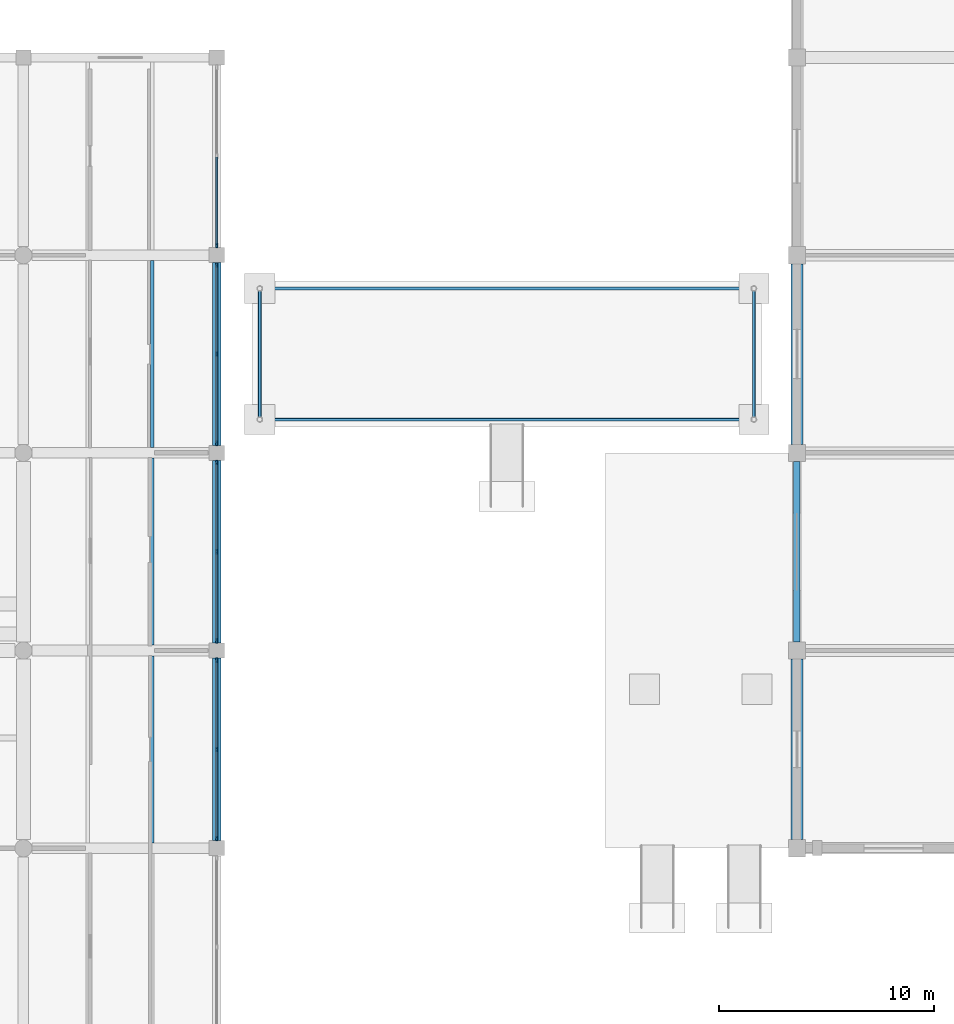
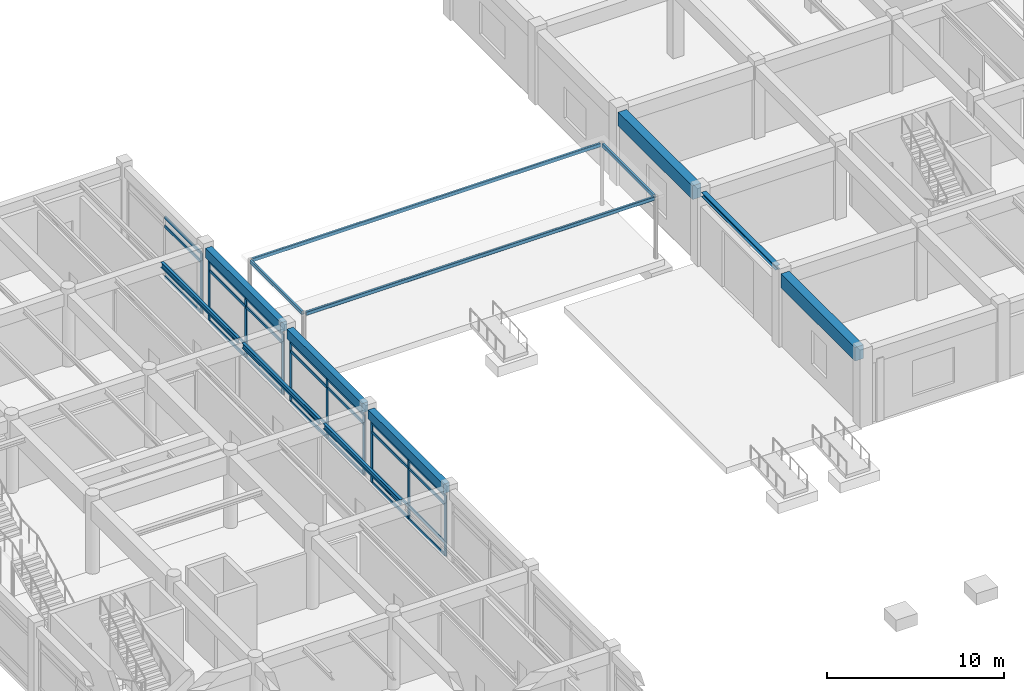
# One storey, part 32 of 76: 42 members, 9 beams, 4 elements without a shape of their own.
"""IFC4 building model written with IfcOpenShell, lengths in metres."""

from ifc_helpers import new_model, si_unit, direction, frame, origin, origin_2d, place, context, subcontext, project, spatial, rectangle, hollow_rectangle, i_section, extrude, material, material_profile, profile_set, type_object, element, aggregate, save


model = new_model("IFC4")

# Units and contexts
model_context = context("Model", 3, precision=1e-05, world=origin(), true_north=direction((0.0, 1.0)))
body_context = subcontext(model_context, "Body", "Model", "MODEL_VIEW")
ifc_project = project(units=[si_unit("LENGTHUNIT", "METRE"), si_unit("AREAUNIT", "SQUARE_METRE"), si_unit("VOLUMEUNIT", "CUBIC_METRE"), si_unit("PLANEANGLEUNIT", "RADIAN"), si_unit("MASSUNIT", "GRAM", prefix="KILO")], contexts=[model_context])

# Site, building, storey
site_placement = place(None, origin())
site = spatial("IfcSite", under=ifc_project, at=site_placement, CompositionType="ELEMENT")
building_placement = place(site_placement, origin())
building = spatial("IfcBuilding", under=site, at=building_placement, Name="Bozkorgan Art Gallery", CompositionType="ELEMENT")
storey_placement = place(building_placement, origin())
storey = spatial("IfcBuildingStorey", under=building, at=storey_placement, Name="L00", CompositionType="ELEMENT", Elevation=0.0)

# Beams
ifc_material_1 = material(Name="Concrete C35/45", Category="concrete")
ifc_material_profile_1 = material_profile(ifc_material_1, rectangle(XDim=0.550048828125, YDim=0.949951171875, at=origin_2d()), Name="RC 550x950")
ifc_profile_set_1 = profile_set([ifc_material_profile_1], Name="Concrete C35/45")
beam_type_1 = type_object("IfcBeamType", Name="BEAM-BM-97", PredefinedType="BEAM", material=ifc_profile_set_1)
beam_1_placement = place(storey_placement, frame((128.0, 66.39990234375, 4.5849609375), z_axis=(0.0, 1.0, 0.0), x_axis=(-1.0, 0.0, 0.0)))
element("IfcBeam", 1, at=beam_1_placement, inside=storey, type_object=beam_type_1, Name="V5 L00 beam Y (128, 66.0-75.2)", PredefinedType="BEAM", context=body_context, shape_type="SweptSolid", body=[
    extrude(rectangle(XDim=0.550048828125, YDim=0.949951171875, at=origin_2d()), origin(), (0.0, 0.0, 1.0), 8.400146484375),
])
beam_2_placement = place(storey_placement, frame((128.0, 84.800048828125, 4.5849609375), z_axis=(0.0, 1.0, 0.0), x_axis=(-1.0, 0.0, 0.0)))
element("IfcBeam", 2, at=beam_2_placement, inside=storey, type_object=beam_type_1, Name="V5 L00 beam Y (128, 84.4-93.6)", PredefinedType="BEAM", context=body_context, shape_type="SweptSolid", body=[
    extrude(rectangle(XDim=0.550048828125, YDim=0.949951171875, at=origin_2d()), origin(), (0.0, 0.0, 1.0), 8.39990234375),
])
ifc_material_2 = material(Name="Steel S355J2", Category="steel")
ifc_material_profile_2 = material_profile(ifc_material_2, i_section(OverallWidth=0.169921875, OverallDepth=0.360107421875, WebThickness=0.008056640625, FlangeThickness=0.0126953125, FilletRadius=0.01806640625, at=origin_2d()), Name="IPE 360")
ifc_profile_set_2 = profile_set([ifc_material_profile_2], Name="Steel S355J2")
beam_type_2 = type_object("IfcBeamType", Name="BEAM-JS-98", PredefinedType="JOIST", material=ifc_profile_set_2)
for number, where, z_axis, x_axis, name in (
    (3, (98.0, 66.25, 4.8798828125), (0.0, 1.0, 0.0), (-1.0, 0.0, 0.0), "V4 L00 secondary joist (92-101, 66.0-75.2) #2"),
    (4, (98.0, 75.449951171875, 4.8798828125), (0.0, 1.0, 0.0), (-1.0, 0.0, 0.0), "V4 L00 secondary joist (92-101, 75.2-84.4) #2"),
):
    element("IfcBeam", number, at=place(storey_placement, frame(where, z_axis=z_axis, x_axis=x_axis)), inside=storey, type_object=beam_type_2, Name=name, PredefinedType="JOIST", context=body_context, shape_type="SweptSolid", body=[
        extrude(i_section(OverallWidth=0.169921875, OverallDepth=0.360107421875, WebThickness=0.008056640625, FlangeThickness=0.0126953125, FilletRadius=0.01806640625, at=origin_2d()), origin(), (0.0, 0.0, 1.0), 8.699951171875),
    ])
beam_3_placement = place(storey_placement, frame((98.0, 84.64990234375, 4.8798828125), z_axis=(0.0, 1.0, 0.0), x_axis=(-1.0, 0.0, 0.0)))
element("IfcBeam", 5, at=beam_3_placement, inside=storey, type_object=beam_type_2, Name="V4 L00 secondary joist (92-101, 84.4-93.6) #2", PredefinedType="JOIST", context=body_context, shape_type="SweptSolid", body=[
    extrude(i_section(OverallWidth=0.169921875, OverallDepth=0.360107421875, WebThickness=0.008056640625, FlangeThickness=0.0126953125, FilletRadius=0.01806640625, at=origin_2d()), origin(), (0.0, 0.0, 1.0), 8.7001953125),
])
ifc_material_profile_3 = material_profile(ifc_material_2, i_section(OverallWidth=0.300048828125, OverallDepth=0.2900390625, WebThickness=0.008544921875, FlangeThickness=0.013916015625, FilletRadius=0.027099609375, at=origin_2d()), Name="HEA 300")
ifc_profile_set_3 = profile_set([ifc_material_profile_3], Name="Steel S355J2")
beam_type_3 = type_object("IfcBeamType", Name="BEAM-LN-79", PredefinedType="LINTEL", material=ifc_profile_set_3)
beam_4_placement = place(storey_placement, frame((128.0, 75.60009765625, 4.9150390625), z_axis=(0.0, 1.0, 0.0), x_axis=(-1.0, 0.0, 0.0)))
element("IfcBeam", 6, at=beam_4_placement, inside=storey, type_object=beam_type_3, Name="V5 L00 lintel Y (128, 75.2-84.4)", PredefinedType="LINTEL", context=body_context, shape_type="SweptSolid", body=[
    extrude(i_section(OverallWidth=0.300048828125, OverallDepth=0.2900390625, WebThickness=0.008544921875, FlangeThickness=0.013916015625, FilletRadius=0.027099609375, at=origin_2d()), origin(), (0.0, 0.0, 1.0), 8.39990234375),
])
ifc_material_profile_4 = material_profile(ifc_material_1, rectangle(XDim=0.39990234375, YDim=0.64990234375, at=origin_2d()), Name="RC 400x650")
ifc_profile_set_4 = profile_set([ifc_material_profile_4], Name="Concrete C35/45")
beam_type_4 = type_object("IfcBeamType", Name="BEAM-SP-69", PredefinedType="SPANDREL", material=ifc_profile_set_4)
for number, where, z_axis, x_axis, name in (
    (7, (101.0, 66.35009765625, 4.735107421875), (0.0, 1.0, 0.0), (-1.0, 0.0, 0.0), "V4 L00 spandrel Y (101, 66.0-75.2)"),
    (8, (101.0, 75.550048828125, 4.735107421875), (0.0, 1.0, 0.0), (-1.0, 0.0, 0.0), "V4 L00 spandrel Y (101, 75.2-84.4)"),
    (9, (101.0, 84.75, 4.735107421875), (0.0, 1.0, 0.0), (-1.0, 0.0, 0.0), "V4 L00 spandrel Y (101, 84.4-93.6)"),
):
    element("IfcBeam", number, at=place(storey_placement, frame(where, z_axis=z_axis, x_axis=x_axis)), inside=storey, type_object=beam_type_4, Name=name, PredefinedType="SPANDREL", context=body_context, shape_type="SweptSolid", body=[
        extrude(rectangle(XDim=0.39990234375, YDim=0.64990234375, at=origin_2d()), origin(), (0.0, 0.0, 1.0), 8.5),
    ])

# Curtain wall, members
ifc_material_3 = material(Name="Anodised Bronze Aluminium", Category="aluminium")
curtain_wall_type = type_object("IfcCurtainWallType", Name="CW-CW-87", PredefinedType="NOTDEFINED", material=ifc_material_3)
curtain_wall_1_placement = place(storey_placement, origin())
curtain_wall_1 = element("IfcCurtainWall", 10, at=curtain_wall_1_placement, inside=storey, type_object=curtain_wall_type, Name="L00 unitised curtain wall CW-V4-L00-1E-14", PredefinedType="NOTDEFINED")
ifc_material_profile_5 = material_profile(ifc_material_3, rectangle(XDim=0.074951171875, YDim=0.219970703125, at=origin_2d()), Name="ALU MULLION 75x220")
ifc_profile_set_5 = profile_set([ifc_material_profile_5], Name="Anodised Bronze Aluminium")
member_type_1 = type_object("IfcMemberType", Name="CWM-02", PredefinedType="MULLION", material=ifc_profile_set_5)
member_1_placement = place(storey_placement, frame((101.0, 66.452392578125, 0.02001953125), z_axis=(0.0, 0.0, 1.0), x_axis=(-1.0, 0.0, 0.0)))
member_1 = element("IfcMember", 11, at=member_1_placement, type_object=member_type_1, Name="CW-87 mullion 1", PredefinedType="MULLION", context=body_context, shape_type="SweptSolid", body=[
    extrude(rectangle(XDim=0.074951171875, YDim=0.219970703125, at=origin_2d()), origin(), (0.0, 0.0, 1.0), 4.175048828125),
])
member_2_placement = place(storey_placement, frame((101.0, 70.60009765625, 0.02001953125), z_axis=(0.0, 0.0, 1.0), x_axis=(-1.0, 0.0, 0.0)))
member_2 = element("IfcMember", 12, at=member_2_placement, type_object=member_type_1, Name="CW-87 mullion 2", PredefinedType="MULLION", context=body_context, shape_type="SweptSolid", body=[
    extrude(rectangle(XDim=0.074951171875, YDim=0.219970703125, at=origin_2d()), origin(), (0.0, 0.0, 1.0), 4.175048828125),
])
member_3_placement = place(storey_placement, frame((101.0, 74.74755859375, 0.02001953125), z_axis=(0.0, 0.0, 1.0), x_axis=(-1.0, 0.0, 0.0)))
member_3 = element("IfcMember", 13, at=member_3_placement, type_object=member_type_1, Name="CW-87 mullion 3", PredefinedType="MULLION", context=body_context, shape_type="SweptSolid", body=[
    extrude(rectangle(XDim=0.074951171875, YDim=0.219970703125, at=origin_2d()), origin(), (0.0, 0.0, 1.0), 4.175048828125),
])

curtain_wall_2_placement = place(storey_placement, origin())
curtain_wall_2 = element("IfcCurtainWall", 14, at=curtain_wall_2_placement, inside=storey, type_object=curtain_wall_type, Name="L00 unitised curtain wall CW-V4-L00-1E-16", PredefinedType="NOTDEFINED")
member_4_placement = place(storey_placement, frame((101.0, 75.652587890625, 0.02001953125), z_axis=(0.0, 0.0, 1.0), x_axis=(-1.0, 0.0, 0.0)))
member_4 = element("IfcMember", 15, at=member_4_placement, type_object=member_type_1, Name="CW-87 mullion 1", PredefinedType="MULLION", context=body_context, shape_type="SweptSolid", body=[
    extrude(rectangle(XDim=0.074951171875, YDim=0.219970703125, at=origin_2d()), origin(), (0.0, 0.0, 1.0), 4.175048828125),
])
member_5_placement = place(storey_placement, frame((101.0, 79.800048828125, 0.02001953125), z_axis=(0.0, 0.0, 1.0), x_axis=(-1.0, 0.0, 0.0)))
member_5 = element("IfcMember", 16, at=member_5_placement, type_object=member_type_1, Name="CW-87 mullion 2", PredefinedType="MULLION", context=body_context, shape_type="SweptSolid", body=[
    extrude(rectangle(XDim=0.074951171875, YDim=0.219970703125, at=origin_2d()), origin(), (0.0, 0.0, 1.0), 4.175048828125),
])
member_6_placement = place(storey_placement, frame((101.0, 83.947509765625, 0.02001953125), z_axis=(0.0, 0.0, 1.0), x_axis=(-1.0, 0.0, 0.0)))
member_6 = element("IfcMember", 17, at=member_6_placement, type_object=member_type_1, Name="CW-87 mullion 3", PredefinedType="MULLION", context=body_context, shape_type="SweptSolid", body=[
    extrude(rectangle(XDim=0.074951171875, YDim=0.219970703125, at=origin_2d()), origin(), (0.0, 0.0, 1.0), 4.175048828125),
])

curtain_wall_3_placement = place(storey_placement, origin())
curtain_wall_3 = element("IfcCurtainWall", 18, at=curtain_wall_3_placement, inside=storey, type_object=curtain_wall_type, Name="L00 unitised curtain wall CW-V4-L00-1E-18", PredefinedType="NOTDEFINED")
member_7_placement = place(storey_placement, frame((101.0, 84.8525390625, 0.02001953125), z_axis=(0.0, 0.0, 1.0), x_axis=(-1.0, 0.0, 0.0)))
member_7 = element("IfcMember", 19, at=member_7_placement, type_object=member_type_1, Name="CW-87 mullion 1", PredefinedType="MULLION", context=body_context, shape_type="SweptSolid", body=[
    extrude(rectangle(XDim=0.074951171875, YDim=0.219970703125, at=origin_2d()), origin(), (0.0, 0.0, 1.0), 4.175048828125),
])
member_8_placement = place(storey_placement, frame((101.0, 89.0, 0.02001953125), z_axis=(0.0, 0.0, 1.0), x_axis=(-1.0, 0.0, 0.0)))
member_8 = element("IfcMember", 20, at=member_8_placement, type_object=member_type_1, Name="CW-87 mullion 2", PredefinedType="MULLION", context=body_context, shape_type="SweptSolid", body=[
    extrude(rectangle(XDim=0.074951171875, YDim=0.219970703125, at=origin_2d()), origin(), (0.0, 0.0, 1.0), 4.175048828125),
])
member_9_placement = place(storey_placement, frame((101.0, 93.1474609375, 0.02001953125), z_axis=(0.0, 0.0, 1.0), x_axis=(-1.0, 0.0, 0.0)))
member_9 = element("IfcMember", 21, at=member_9_placement, type_object=member_type_1, Name="CW-87 mullion 3", PredefinedType="MULLION", context=body_context, shape_type="SweptSolid", body=[
    extrude(rectangle(XDim=0.074951171875, YDim=0.219970703125, at=origin_2d()), origin(), (0.0, 0.0, 1.0), 4.175048828125),
])

# Curtain wall, member
curtain_wall_4_placement = place(storey_placement, origin())
curtain_wall_4 = element("IfcCurtainWall", 22, at=curtain_wall_4_placement, inside=storey, type_object=curtain_wall_type, Name="L00 unitised curtain wall CW-V4-L00-1E-20", PredefinedType="NOTDEFINED")
member_10_placement = place(storey_placement, frame((101.0, 94.052490234375, 0.02001953125), z_axis=(0.0, 0.0, 1.0), x_axis=(-1.0, 0.0, 0.0)))
member_10 = element("IfcMember", 23, at=member_10_placement, type_object=member_type_1, Name="CW-87 mullion 1", PredefinedType="MULLION", context=body_context, shape_type="SweptSolid", body=[
    extrude(rectangle(XDim=0.074951171875, YDim=0.219970703125, at=origin_2d()), origin(), (0.0, 0.0, 1.0), 4.175048828125),
])

# Member
ifc_material_profile_6 = material_profile(ifc_material_3, rectangle(XDim=0.080078125, YDim=0.199951171875, at=origin_2d()), Name="ALU TRANSOM 80x200")
ifc_profile_set_6 = profile_set([ifc_material_profile_6], Name="Anodised Bronze Aluminium")
member_type_2 = type_object("IfcMemberType", Name="CWT-03", PredefinedType="USERDEFINED", material=ifc_profile_set_6)
member_11_placement = place(storey_placement, frame((101.0, 66.489990234375, 0.06005859375), z_axis=(0.0, 1.0, 0.0), x_axis=(-1.0, 0.0, 0.0)))
member_11 = element("IfcMember", 24, at=member_11_placement, type_object=member_type_2, Name="CW-87 transom 1.1", ObjectType="TRANSOM", PredefinedType="USERDEFINED", context=body_context, shape_type="SweptSolid", body=[
    extrude(rectangle(XDim=0.080078125, YDim=0.199951171875, at=origin_2d()), origin(), (0.0, 0.0, 1.0), 4.072509765625),
])

member_12_placement = place(storey_placement, frame((101.0, 66.489990234375, 0.919921875), z_axis=(0.0, 1.0, 0.0), x_axis=(-1.0, 0.0, 0.0)))
member_12 = element("IfcMember", 25, at=member_12_placement, type_object=member_type_2, Name="CW-87 transom 1.2", ObjectType="TRANSOM", PredefinedType="USERDEFINED", context=body_context, shape_type="SweptSolid", body=[
    extrude(rectangle(XDim=0.080078125, YDim=0.199951171875, at=origin_2d()), origin(), (0.0, 0.0, 1.0), 4.072509765625),
])

member_13_placement = place(storey_placement, frame((101.0, 66.489990234375, 3.544921875), z_axis=(0.0, 1.0, 0.0), x_axis=(-1.0, 0.0, 0.0)))
member_13 = element("IfcMember", 26, at=member_13_placement, type_object=member_type_2, Name="CW-87 transom 1.3", ObjectType="TRANSOM", PredefinedType="USERDEFINED", context=body_context, shape_type="SweptSolid", body=[
    extrude(rectangle(XDim=0.080078125, YDim=0.199951171875, at=origin_2d()), origin(), (0.0, 0.0, 1.0), 4.072509765625),
])

member_14_placement = place(storey_placement, frame((101.0, 66.489990234375, 4.155029296875), z_axis=(0.0, 1.0, 0.0), x_axis=(-1.0, 0.0, 0.0)))
member_14 = element("IfcMember", 27, at=member_14_placement, type_object=member_type_2, Name="CW-87 transom 1.4", ObjectType="TRANSOM", PredefinedType="USERDEFINED", context=body_context, shape_type="SweptSolid", body=[
    extrude(rectangle(XDim=0.080078125, YDim=0.199951171875, at=origin_2d()), origin(), (0.0, 0.0, 1.0), 4.072509765625),
])

member_15_placement = place(storey_placement, frame((101.0, 70.637451171875, 0.06005859375), z_axis=(0.0, 1.0, 0.0), x_axis=(-1.0, 0.0, 0.0)))
member_15 = element("IfcMember", 28, at=member_15_placement, type_object=member_type_2, Name="CW-87 transom 2.1", ObjectType="TRANSOM", PredefinedType="USERDEFINED", context=body_context, shape_type="SweptSolid", body=[
    extrude(rectangle(XDim=0.080078125, YDim=0.199951171875, at=origin_2d()), origin(), (0.0, 0.0, 1.0), 4.072509765625),
])

member_16_placement = place(storey_placement, frame((101.0, 70.637451171875, 0.919921875), z_axis=(0.0, 1.0, 0.0), x_axis=(-1.0, 0.0, 0.0)))
member_16 = element("IfcMember", 29, at=member_16_placement, type_object=member_type_2, Name="CW-87 transom 2.2", ObjectType="TRANSOM", PredefinedType="USERDEFINED", context=body_context, shape_type="SweptSolid", body=[
    extrude(rectangle(XDim=0.080078125, YDim=0.199951171875, at=origin_2d()), origin(), (0.0, 0.0, 1.0), 4.072509765625),
])

member_17_placement = place(storey_placement, frame((101.0, 70.637451171875, 3.544921875), z_axis=(0.0, 1.0, 0.0), x_axis=(-1.0, 0.0, 0.0)))
member_17 = element("IfcMember", 30, at=member_17_placement, type_object=member_type_2, Name="CW-87 transom 2.3", ObjectType="TRANSOM", PredefinedType="USERDEFINED", context=body_context, shape_type="SweptSolid", body=[
    extrude(rectangle(XDim=0.080078125, YDim=0.199951171875, at=origin_2d()), origin(), (0.0, 0.0, 1.0), 4.072509765625),
])

member_18_placement = place(storey_placement, frame((101.0, 70.637451171875, 4.155029296875), z_axis=(0.0, 1.0, 0.0), x_axis=(-1.0, 0.0, 0.0)))
member_18 = element("IfcMember", 31, at=member_18_placement, type_object=member_type_2, Name="CW-87 transom 2.4", ObjectType="TRANSOM", PredefinedType="USERDEFINED", context=body_context, shape_type="SweptSolid", body=[
    extrude(rectangle(XDim=0.080078125, YDim=0.199951171875, at=origin_2d()), origin(), (0.0, 0.0, 1.0), 4.072509765625),
])

aggregate(curtain_wall_1, [member_1, member_2, member_3, member_11, member_12, member_13, member_14, member_15, member_16, member_17, member_18])

member_19_placement = place(storey_placement, frame((101.0, 75.68994140625, 0.06005859375), z_axis=(0.0, 1.0, 0.0), x_axis=(-1.0, 0.0, 0.0)))
member_19 = element("IfcMember", 32, at=member_19_placement, type_object=member_type_2, Name="CW-87 transom 1.1", ObjectType="TRANSOM", PredefinedType="USERDEFINED", context=body_context, shape_type="SweptSolid", body=[
    extrude(rectangle(XDim=0.080078125, YDim=0.199951171875, at=origin_2d()), origin(), (0.0, 0.0, 1.0), 4.072509765625),
])

member_20_placement = place(storey_placement, frame((101.0, 75.68994140625, 0.919921875), z_axis=(0.0, 1.0, 0.0), x_axis=(-1.0, 0.0, 0.0)))
member_20 = element("IfcMember", 33, at=member_20_placement, type_object=member_type_2, Name="CW-87 transom 1.2", ObjectType="TRANSOM", PredefinedType="USERDEFINED", context=body_context, shape_type="SweptSolid", body=[
    extrude(rectangle(XDim=0.080078125, YDim=0.199951171875, at=origin_2d()), origin(), (0.0, 0.0, 1.0), 4.072509765625),
])

member_21_placement = place(storey_placement, frame((101.0, 75.68994140625, 3.544921875), z_axis=(0.0, 1.0, 0.0), x_axis=(-1.0, 0.0, 0.0)))
member_21 = element("IfcMember", 34, at=member_21_placement, type_object=member_type_2, Name="CW-87 transom 1.3", ObjectType="TRANSOM", PredefinedType="USERDEFINED", context=body_context, shape_type="SweptSolid", body=[
    extrude(rectangle(XDim=0.080078125, YDim=0.199951171875, at=origin_2d()), origin(), (0.0, 0.0, 1.0), 4.072509765625),
])

member_22_placement = place(storey_placement, frame((101.0, 75.68994140625, 4.155029296875), z_axis=(0.0, 1.0, 0.0), x_axis=(-1.0, 0.0, 0.0)))
member_22 = element("IfcMember", 35, at=member_22_placement, type_object=member_type_2, Name="CW-87 transom 1.4", ObjectType="TRANSOM", PredefinedType="USERDEFINED", context=body_context, shape_type="SweptSolid", body=[
    extrude(rectangle(XDim=0.080078125, YDim=0.199951171875, at=origin_2d()), origin(), (0.0, 0.0, 1.0), 4.072509765625),
])

member_23_placement = place(storey_placement, frame((101.0, 79.83740234375, 0.06005859375), z_axis=(0.0, 1.0, 0.0), x_axis=(-1.0, 0.0, 0.0)))
member_23 = element("IfcMember", 36, at=member_23_placement, type_object=member_type_2, Name="CW-87 transom 2.1", ObjectType="TRANSOM", PredefinedType="USERDEFINED", context=body_context, shape_type="SweptSolid", body=[
    extrude(rectangle(XDim=0.080078125, YDim=0.199951171875, at=origin_2d()), origin(), (0.0, 0.0, 1.0), 4.072509765625),
])

member_24_placement = place(storey_placement, frame((101.0, 79.83740234375, 0.919921875), z_axis=(0.0, 1.0, 0.0), x_axis=(-1.0, 0.0, 0.0)))
member_24 = element("IfcMember", 37, at=member_24_placement, type_object=member_type_2, Name="CW-87 transom 2.2", ObjectType="TRANSOM", PredefinedType="USERDEFINED", context=body_context, shape_type="SweptSolid", body=[
    extrude(rectangle(XDim=0.080078125, YDim=0.199951171875, at=origin_2d()), origin(), (0.0, 0.0, 1.0), 4.072509765625),
])

member_25_placement = place(storey_placement, frame((101.0, 79.83740234375, 3.544921875), z_axis=(0.0, 1.0, 0.0), x_axis=(-1.0, 0.0, 0.0)))
member_25 = element("IfcMember", 38, at=member_25_placement, type_object=member_type_2, Name="CW-87 transom 2.3", ObjectType="TRANSOM", PredefinedType="USERDEFINED", context=body_context, shape_type="SweptSolid", body=[
    extrude(rectangle(XDim=0.080078125, YDim=0.199951171875, at=origin_2d()), origin(), (0.0, 0.0, 1.0), 4.072509765625),
])

member_26_placement = place(storey_placement, frame((101.0, 79.83740234375, 4.155029296875), z_axis=(0.0, 1.0, 0.0), x_axis=(-1.0, 0.0, 0.0)))
member_26 = element("IfcMember", 39, at=member_26_placement, type_object=member_type_2, Name="CW-87 transom 2.4", ObjectType="TRANSOM", PredefinedType="USERDEFINED", context=body_context, shape_type="SweptSolid", body=[
    extrude(rectangle(XDim=0.080078125, YDim=0.199951171875, at=origin_2d()), origin(), (0.0, 0.0, 1.0), 4.072509765625),
])

aggregate(curtain_wall_2, [member_4, member_5, member_6, member_19, member_20, member_21, member_22, member_23, member_24, member_25, member_26])

member_27_placement = place(storey_placement, frame((101.0, 84.889892578125, 0.06005859375), z_axis=(0.0, 1.0, 0.0), x_axis=(-1.0, 0.0, 0.0)))
member_27 = element("IfcMember", 40, at=member_27_placement, type_object=member_type_2, Name="CW-87 transom 1.1", ObjectType="TRANSOM", PredefinedType="USERDEFINED", context=body_context, shape_type="SweptSolid", body=[
    extrude(rectangle(XDim=0.080078125, YDim=0.199951171875, at=origin_2d()), origin(), (0.0, 0.0, 1.0), 4.072509765625),
])

member_28_placement = place(storey_placement, frame((101.0, 84.889892578125, 0.919921875), z_axis=(0.0, 1.0, 0.0), x_axis=(-1.0, 0.0, 0.0)))
member_28 = element("IfcMember", 41, at=member_28_placement, type_object=member_type_2, Name="CW-87 transom 1.2", ObjectType="TRANSOM", PredefinedType="USERDEFINED", context=body_context, shape_type="SweptSolid", body=[
    extrude(rectangle(XDim=0.080078125, YDim=0.199951171875, at=origin_2d()), origin(), (0.0, 0.0, 1.0), 4.072509765625),
])

member_29_placement = place(storey_placement, frame((101.0, 84.889892578125, 3.544921875), z_axis=(0.0, 1.0, 0.0), x_axis=(-1.0, 0.0, 0.0)))
member_29 = element("IfcMember", 42, at=member_29_placement, type_object=member_type_2, Name="CW-87 transom 1.3", ObjectType="TRANSOM", PredefinedType="USERDEFINED", context=body_context, shape_type="SweptSolid", body=[
    extrude(rectangle(XDim=0.080078125, YDim=0.199951171875, at=origin_2d()), origin(), (0.0, 0.0, 1.0), 4.072509765625),
])

member_30_placement = place(storey_placement, frame((101.0, 84.889892578125, 4.155029296875), z_axis=(0.0, 1.0, 0.0), x_axis=(-1.0, 0.0, 0.0)))
member_30 = element("IfcMember", 43, at=member_30_placement, type_object=member_type_2, Name="CW-87 transom 1.4", ObjectType="TRANSOM", PredefinedType="USERDEFINED", context=body_context, shape_type="SweptSolid", body=[
    extrude(rectangle(XDim=0.080078125, YDim=0.199951171875, at=origin_2d()), origin(), (0.0, 0.0, 1.0), 4.072509765625),
])

member_31_placement = place(storey_placement, frame((101.0, 89.03759765625, 0.06005859375), z_axis=(0.0, 1.0, 0.0), x_axis=(-1.0, 0.0, 0.0)))
member_31 = element("IfcMember", 44, at=member_31_placement, type_object=member_type_2, Name="CW-87 transom 2.1", ObjectType="TRANSOM", PredefinedType="USERDEFINED", context=body_context, shape_type="SweptSolid", body=[
    extrude(rectangle(XDim=0.080078125, YDim=0.199951171875, at=origin_2d()), origin(), (0.0, 0.0, 1.0), 4.072509765625),
])

member_32_placement = place(storey_placement, frame((101.0, 89.03759765625, 0.919921875), z_axis=(0.0, 1.0, 0.0), x_axis=(-1.0, 0.0, 0.0)))
member_32 = element("IfcMember", 45, at=member_32_placement, type_object=member_type_2, Name="CW-87 transom 2.2", ObjectType="TRANSOM", PredefinedType="USERDEFINED", context=body_context, shape_type="SweptSolid", body=[
    extrude(rectangle(XDim=0.080078125, YDim=0.199951171875, at=origin_2d()), origin(), (0.0, 0.0, 1.0), 4.072509765625),
])

member_33_placement = place(storey_placement, frame((101.0, 89.03759765625, 3.544921875), z_axis=(0.0, 1.0, 0.0), x_axis=(-1.0, 0.0, 0.0)))
member_33 = element("IfcMember", 46, at=member_33_placement, type_object=member_type_2, Name="CW-87 transom 2.3", ObjectType="TRANSOM", PredefinedType="USERDEFINED", context=body_context, shape_type="SweptSolid", body=[
    extrude(rectangle(XDim=0.080078125, YDim=0.199951171875, at=origin_2d()), origin(), (0.0, 0.0, 1.0), 4.072509765625),
])

member_34_placement = place(storey_placement, frame((101.0, 89.03759765625, 4.155029296875), z_axis=(0.0, 1.0, 0.0), x_axis=(-1.0, 0.0, 0.0)))
member_34 = element("IfcMember", 47, at=member_34_placement, type_object=member_type_2, Name="CW-87 transom 2.4", ObjectType="TRANSOM", PredefinedType="USERDEFINED", context=body_context, shape_type="SweptSolid", body=[
    extrude(rectangle(XDim=0.080078125, YDim=0.199951171875, at=origin_2d()), origin(), (0.0, 0.0, 1.0), 4.072509765625),
])

aggregate(curtain_wall_3, [member_7, member_8, member_9, member_27, member_28, member_29, member_30, member_31, member_32, member_33, member_34])

member_35_placement = place(storey_placement, frame((101.0, 94.090087890625, 0.06005859375), z_axis=(0.0, 1.0, 0.0), x_axis=(-1.0, 0.0, 0.0)))
member_35 = element("IfcMember", 48, at=member_35_placement, type_object=member_type_2, Name="CW-87 transom 1.1", ObjectType="TRANSOM", PredefinedType="USERDEFINED", context=body_context, shape_type="SweptSolid", body=[
    extrude(rectangle(XDim=0.080078125, YDim=0.199951171875, at=origin_2d()), origin(), (0.0, 0.0, 1.0), 4.072509765625),
])

member_36_placement = place(storey_placement, frame((101.0, 94.090087890625, 0.919921875), z_axis=(0.0, 1.0, 0.0), x_axis=(-1.0, 0.0, 0.0)))
member_36 = element("IfcMember", 49, at=member_36_placement, type_object=member_type_2, Name="CW-87 transom 1.2", ObjectType="TRANSOM", PredefinedType="USERDEFINED", context=body_context, shape_type="SweptSolid", body=[
    extrude(rectangle(XDim=0.080078125, YDim=0.199951171875, at=origin_2d()), origin(), (0.0, 0.0, 1.0), 4.072509765625),
])

member_37_placement = place(storey_placement, frame((101.0, 94.090087890625, 3.544921875), z_axis=(0.0, 1.0, 0.0), x_axis=(-1.0, 0.0, 0.0)))
member_37 = element("IfcMember", 50, at=member_37_placement, type_object=member_type_2, Name="CW-87 transom 1.3", ObjectType="TRANSOM", PredefinedType="USERDEFINED", context=body_context, shape_type="SweptSolid", body=[
    extrude(rectangle(XDim=0.080078125, YDim=0.199951171875, at=origin_2d()), origin(), (0.0, 0.0, 1.0), 4.072509765625),
])

member_38_placement = place(storey_placement, frame((101.0, 94.090087890625, 4.155029296875), z_axis=(0.0, 1.0, 0.0), x_axis=(-1.0, 0.0, 0.0)))
member_38 = element("IfcMember", 51, at=member_38_placement, type_object=member_type_2, Name="CW-87 transom 1.4", ObjectType="TRANSOM", PredefinedType="USERDEFINED", context=body_context, shape_type="SweptSolid", body=[
    extrude(rectangle(XDim=0.080078125, YDim=0.199951171875, at=origin_2d()), origin(), (0.0, 0.0, 1.0), 4.072509765625),
])

aggregate(curtain_wall_4, [member_10, member_35, member_36, member_37, member_38])

# Members
ifc_material_profile_7 = material_profile(ifc_material_2, hollow_rectangle(XDim=0.14990234375, YDim=0.25, WallThickness=0.010009765625, InnerFilletRadius=0.014892578125, OuterFilletRadius=0.02490234375, at=origin_2d()), Name="RHS 250x150x10")
ifc_profile_set_7 = profile_set([ifc_material_profile_7], Name="Steel S355J2")
member_type_3 = type_object("IfcMemberType", Name="MEMBER-WM-72", PredefinedType="CHORD", material=ifc_profile_set_7)
member_39_placement = place(storey_placement, frame((103.1201171875, 85.949951171875, 4.175048828125), z_axis=(1.0, 0.0, 0.0), x_axis=(0.0, 1.0, 0.0)))
element("IfcMember", 52, at=member_39_placement, inside=storey, type_object=member_type_3, Name="East Water-Court Covered Walk PTFE sliding edge chord 1", PredefinedType="CHORD", context=body_context, shape_type="SweptSolid", body=[
    extrude(hollow_rectangle(XDim=0.14990234375, YDim=0.25, WallThickness=0.010009765625, InnerFilletRadius=0.014892578125, OuterFilletRadius=0.02490234375, at=origin_2d()), origin(), (0.0, 0.0, 1.0), 22.759765625),
])
member_40_placement = place(storey_placement, frame((126.0, 86.070068359375, 4.175048828125), z_axis=(0.0, 1.0, 0.0), x_axis=(-1.0, 0.0, 0.0)))
element("IfcMember", 53, at=member_40_placement, inside=storey, type_object=member_type_3, Name="East Water-Court Covered Walk PTFE sliding edge chord 2", PredefinedType="CHORD", context=body_context, shape_type="SweptSolid", body=[
    extrude(hollow_rectangle(XDim=0.14990234375, YDim=0.25, WallThickness=0.010009765625, InnerFilletRadius=0.014892578125, OuterFilletRadius=0.02490234375, at=origin_2d()), origin(), (0.0, 0.0, 1.0), 5.85986328125),
])
member_41_placement = place(storey_placement, frame((125.8798828125, 92.050048828125, 4.175048828125), z_axis=(-1.0, 0.0, 0.0), x_axis=(0.0, -1.0, 0.0)))
element("IfcMember", 54, at=member_41_placement, inside=storey, type_object=member_type_3, Name="East Water-Court Covered Walk PTFE sliding edge chord 3", PredefinedType="CHORD", context=body_context, shape_type="SweptSolid", body=[
    extrude(hollow_rectangle(XDim=0.14990234375, YDim=0.25, WallThickness=0.010009765625, InnerFilletRadius=0.014892578125, OuterFilletRadius=0.02490234375, at=origin_2d()), origin(), (0.0, 0.0, 1.0), 22.759765625),
])
member_42_placement = place(storey_placement, frame((103.0, 91.929931640625, 4.175048828125), z_axis=(0.0, -1.0, 0.0), x_axis=(1.0, 0.0, 0.0)))
element("IfcMember", 55, at=member_42_placement, inside=storey, type_object=member_type_3, Name="East Water-Court Covered Walk PTFE sliding edge chord 4", PredefinedType="CHORD", context=body_context, shape_type="SweptSolid", body=[
    extrude(hollow_rectangle(XDim=0.14990234375, YDim=0.25, WallThickness=0.010009765625, InnerFilletRadius=0.014892578125, OuterFilletRadius=0.02490234375, at=origin_2d()), origin(), (0.0, 0.0, 1.0), 5.85986328125),
])

save(model, "model.ifc")
